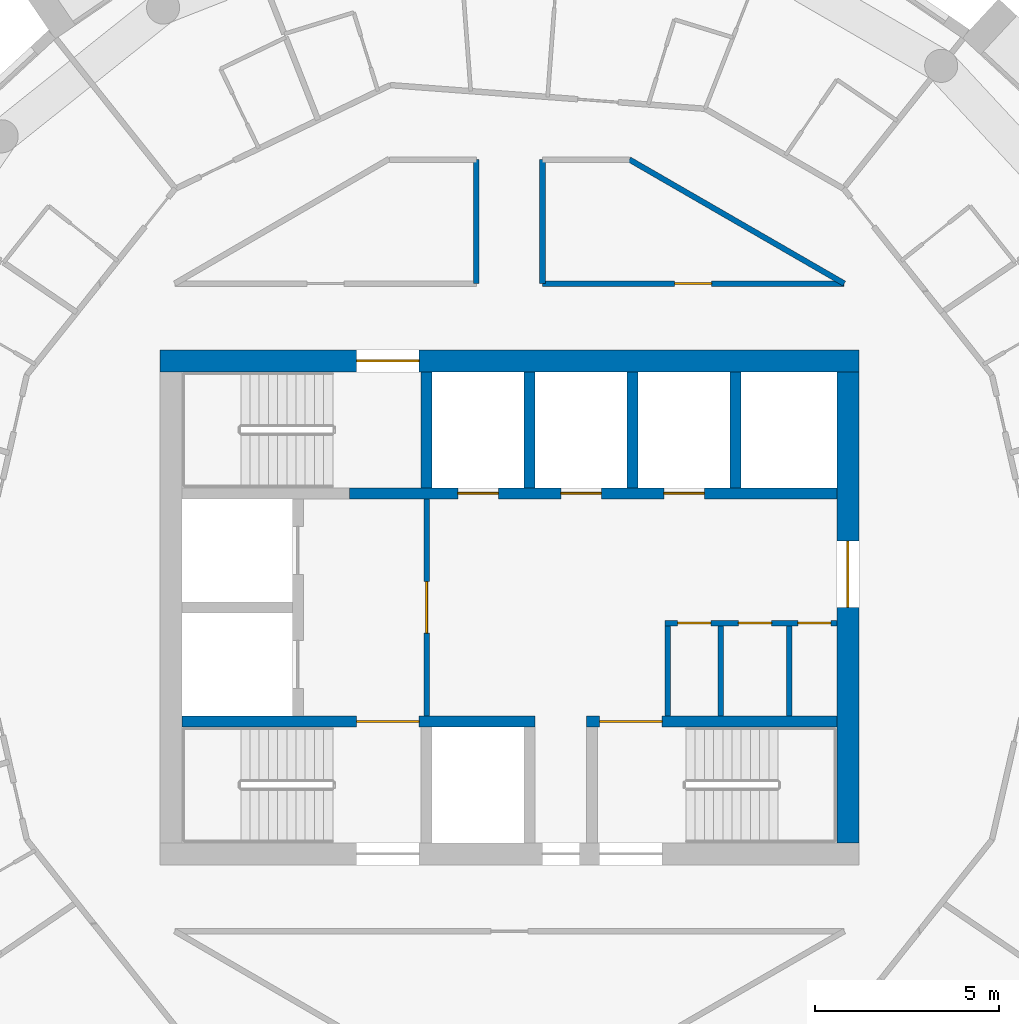
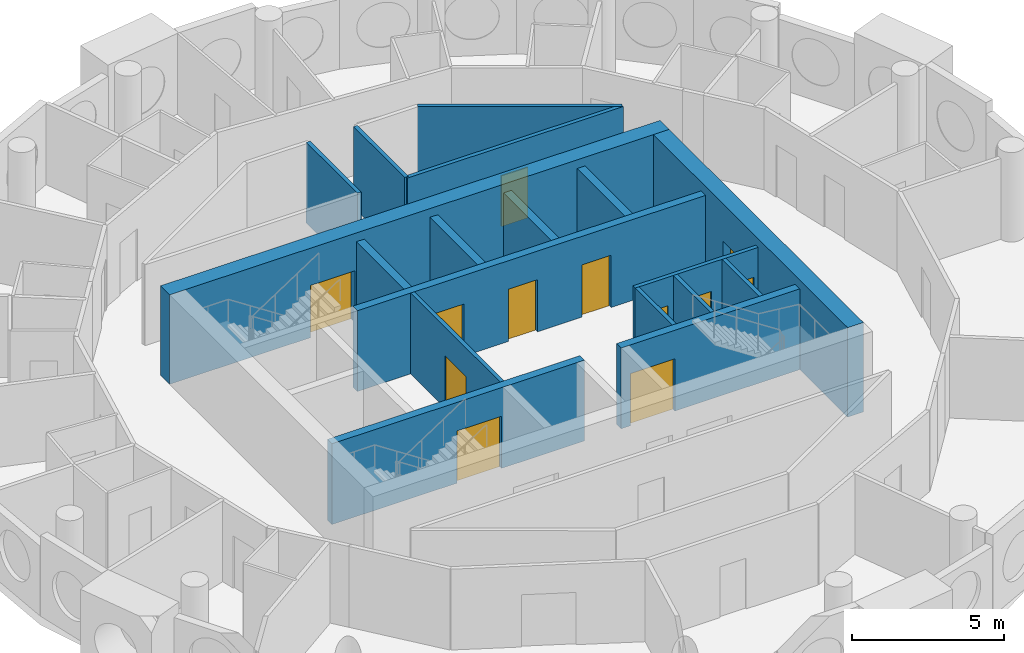
# One storey, part 7 of 12: 18 walls, 12 doors, 12 openings.
"""IFC4 building model written with IfcOpenShell, lengths in metres."""

from ifc_helpers import new_model, si_unit, direction, frame, frame_2d, origin, place, context, subcontext, project, spatial, rectangle, extrude, material, layer, layer_set, type_object, element, fill, save


model = new_model("IFC4")

# Units and contexts
model_context = context("Model", 3, precision=1e-05, world=origin(), true_north=direction((0.0, 1.0)))
body_context = subcontext(model_context, "Body", "Model", "MODEL_VIEW")
ifc_project = project(units=[si_unit("LENGTHUNIT", "METRE"), si_unit("AREAUNIT", "SQUARE_METRE"), si_unit("VOLUMEUNIT", "CUBIC_METRE"), si_unit("PLANEANGLEUNIT", "RADIAN"), si_unit("MASSUNIT", "GRAM", prefix="KILO")], contexts=[model_context])

# Site, building, storey
site_placement = place(None, origin())
site = spatial("IfcSite", under=ifc_project, at=site_placement, CompositionType="ELEMENT")
building_placement = place(site_placement, origin())
building = spatial("IfcBuilding", under=site, at=building_placement, Name="Tracery Tower", CompositionType="ELEMENT")
storey_placement = place(building_placement, frame((0.0, 0.0, 305.39990234375)))
storey = spatial("IfcBuildingStorey", under=building, at=storey_placement, Name="L79", CompositionType="ELEMENT", Elevation=305.39990234375)

# Wall, opening, door
ifc_material_1 = material(Name="Plasterboard on steel studs", Category="steel")
ifc_layer_1 = layer(ifc_material_1, 0.14990234375)
ifc_layer_set_1 = layer_set([ifc_layer_1], Name="Core lobby partition 150")
wall_type_1 = type_object("IfcWallType", Name="Core lobby partition 150", PredefinedType="SOLIDWALL", material=ifc_layer_set_1)
wall_1_placement = place(storey_placement, frame((-2.25, -2.949951171875, 0.0), z_axis=(0.0, 0.0, 1.0), x_axis=(0.0, 1.0, 0.0)))
wall_1 = element("IfcWall", 1, at=wall_1_placement, inside=storey, type_object=wall_type_1, Name="L79 FF lobby E", PredefinedType="SOLIDWALL", context=body_context, shape_type="SweptSolid", body=[
    extrude(rectangle(XDim=5.89990234375, YDim=0.14990234375, at=frame_2d((2.949951171875, 0.0))), origin(), (0.0, 0.0, 1.0), 3.25),
])
opening_1_placement = place(wall_1_placement, frame((2.25, 0.0, 0.0)))
opening_1 = element("IfcOpeningElement", 2, at=opening_1_placement, cuts=wall_1, Name="Opening KD8", PredefinedType="OPENING", context=body_context, shape_type="SweptSolid", body=[
    extrude(rectangle(XDim=1.39990234375, YDim=2.10009765625, at=frame_2d((0.699951171875, 1.050048828125))), frame((0.0, 0.074951171875, 0.0), z_axis=(0.0, -1.0, 0.0), x_axis=(1.0, 0.0, 0.0)), (0.0, 0.0, 1.0), 0.14990234375),
])
ifc_material_2 = material(Name="Steel fire door", Category="steel")
door_type_1 = type_object("IfcDoorType", Name="Core lobby door 1400 double", OperationType="NOTDEFINED", PredefinedType="DOOR", material=ifc_material_2)
door_1_placement = place(opening_1_placement, origin())
door_1 = element("IfcDoor", 3, at=door_1_placement, inside=storey, type_object=door_type_1, Name="Fire-fighting lobby door", OperationType="DOUBLE_DOOR_SINGLE_SWING", OverallHeight=2.10009765625, OverallWidth=1.39990234375, PredefinedType="DOOR", context=body_context, shape_type="SweptSolid", body=[
    extrude(rectangle(XDim=1.39990234375, YDim=2.10009765625, at=frame_2d((0.699951171875, 1.050048828125))), frame((0.0, 0.02490234375, 0.0), z_axis=(0.0, -1.0, 0.0), x_axis=(1.0, 0.0, 0.0)), (0.0, 0.0, 1.0), 0.050048828125),
])
fill(opening_1, door_1)

# Wall
ifc_material_3 = material(Name="Plasterboard on steel studs", Category="steel")
ifc_layer_2 = layer(ifc_material_3, 0.14990234375)
ifc_layer_set_2 = layer_set([ifc_layer_2], Name="Core room partition 150")
wall_type_2 = type_object("IfcWallType", Name="Core room partition 150", PredefinedType="SOLIDWALL", material=ifc_layer_set_2)
wall_2_placement = place(storey_placement, frame((4.300048828125, -2.949951171875, 0.0), z_axis=(0.0, 0.0, 1.0), x_axis=(0.0, 1.0, 0.0)))
element("IfcWall", 4, at=wall_2_placement, inside=storey, type_object=wall_type_2, Name="L79 slot W", PredefinedType="SOLIDWALL", context=body_context, shape_type="SweptSolid", body=[
    extrude(rectangle(XDim=2.449951171875, YDim=0.14990234375, at=frame_2d((1.22509765625, 0.0))), origin(), (0.0, 0.0, 1.0), 3.25),
])

# Wall, openings, doors
wall_3_placement = place(storey_placement, frame((4.22509765625, -0.425048828125, 0.0), z_axis=(0.0, 0.0, 1.0), x_axis=(1.0, 0.0, 0.0)))
wall_3 = element("IfcWall", 5, at=wall_3_placement, inside=storey, type_object=wall_type_2, Name="L79 slot N", PredefinedType="SOLIDWALL", context=body_context, shape_type="SweptSolid", body=[
    extrude(rectangle(XDim=4.6748046875, YDim=0.14990234375, at=frame_2d((2.33740234375, 0.0))), origin(), (0.0, 0.0, 1.0), 3.25),
])
opening_2_placement = place(wall_3_placement, frame((0.35009765625, 0.0, 0.0)))
opening_2 = element("IfcOpeningElement", 6, at=opening_2_placement, cuts=wall_3, Name="Opening KD27", PredefinedType="OPENING", context=body_context, shape_type="SweptSolid", body=[
    extrude(rectangle(XDim=0.89990234375, YDim=2.10009765625, at=frame_2d((0.449951171875, 1.050048828125))), frame((0.0, 0.074951171875, 0.0), z_axis=(0.0, -1.0, 0.0), x_axis=(1.0, 0.0, 0.0)), (0.0, 0.0, 1.0), 0.14990234375),
])
opening_3_placement = place(wall_3_placement, frame((2.0, 0.0, 0.0)))
opening_3 = element("IfcOpeningElement", 7, at=opening_3_placement, cuts=wall_3, Name="Opening KD21", PredefinedType="OPENING", context=body_context, shape_type="SweptSolid", body=[
    extrude(rectangle(XDim=0.89990234375, YDim=2.10009765625, at=frame_2d((0.449951171875, 1.050048828125))), frame((0.0, 0.074951171875, 0.0), z_axis=(0.0, -1.0, 0.0), x_axis=(1.0, 0.0, 0.0)), (0.0, 0.0, 1.0), 0.14990234375),
])
opening_4_placement = place(wall_3_placement, frame((3.612548828125, 0.0, 0.0)))
opening_4 = element("IfcOpeningElement", 8, at=opening_4_placement, cuts=wall_3, Name="Opening KD32", PredefinedType="OPENING", context=body_context, shape_type="SweptSolid", body=[
    extrude(rectangle(XDim=0.89990234375, YDim=2.10009765625, at=frame_2d((0.449951171875, 1.050048828125))), frame((0.0, 0.074951171875, 0.0), z_axis=(0.0, -1.0, 0.0), x_axis=(1.0, 0.0, 0.0)), (0.0, 0.0, 1.0), 0.14990234375),
])
ifc_material_4 = material(Name="Timber door leaf", Category="wood")
door_type_2 = type_object("IfcDoorType", Name="Core WC door 900", OperationType="NOTDEFINED", PredefinedType="DOOR", material=ifc_material_4)
door_2_placement = place(opening_3_placement, origin())
door_2 = element("IfcDoor", 9, at=door_2_placement, inside=storey, type_object=door_type_2, Name="Core door", OperationType="SINGLE_SWING_LEFT", OverallHeight=2.10009765625, OverallWidth=0.89990234375, PredefinedType="DOOR", context=body_context, shape_type="SweptSolid", body=[
    extrude(rectangle(XDim=0.89990234375, YDim=2.10009765625, at=frame_2d((0.449951171875, 1.050048828125))), frame((0.0, 0.02490234375, 0.0), z_axis=(0.0, -1.0, 0.0), x_axis=(1.0, 0.0, 0.0)), (0.0, 0.0, 1.0), 0.050048828125),
])
fill(opening_3, door_2)
ifc_material_5 = material(Name="Steel fire door", Category="steel")
door_type_3 = type_object("IfcDoorType", Name="Core riser door 900", OperationType="NOTDEFINED", PredefinedType="DOOR", material=ifc_material_5)
door_3_placement = place(opening_4_placement, origin())
door_3 = element("IfcDoor", 10, at=door_3_placement, inside=storey, type_object=door_type_3, Name="Core door", OperationType="SINGLE_SWING_RIGHT", OverallHeight=2.10009765625, OverallWidth=0.89990234375, PredefinedType="DOOR", context=body_context, shape_type="SweptSolid", body=[
    extrude(rectangle(XDim=0.89990234375, YDim=2.10009765625, at=frame_2d((0.449951171875, 1.050048828125))), frame((0.0, 0.02490234375, 0.0), z_axis=(0.0, -1.0, 0.0), x_axis=(1.0, 0.0, 0.0)), (0.0, 0.0, 1.0), 0.050048828125),
])
fill(opening_4, door_3)
ifc_material_6 = material(Name="Timber door leaf", Category="wood")
door_type_4 = type_object("IfcDoorType", Name="Core store door 900", OperationType="NOTDEFINED", PredefinedType="DOOR", material=ifc_material_6)
door_4_placement = place(opening_2_placement, origin())
door_4 = element("IfcDoor", 11, at=door_4_placement, inside=storey, type_object=door_type_4, Name="Core door", OperationType="SINGLE_SWING_RIGHT", OverallHeight=2.10009765625, OverallWidth=0.89990234375, PredefinedType="DOOR", context=body_context, shape_type="SweptSolid", body=[
    extrude(rectangle(XDim=0.89990234375, YDim=2.10009765625, at=frame_2d((0.449951171875, 1.050048828125))), frame((0.0, 0.02490234375, 0.0), z_axis=(0.0, -1.0, 0.0), x_axis=(1.0, 0.0, 0.0)), (0.0, 0.0, 1.0), 0.050048828125),
])
fill(opening_2, door_4)

# Walls
for number, where, z_axis, x_axis, name in (
    (12, (5.75, -2.949951171875, 0.0), (0.0, 0.0, 1.0), (0.0, 1.0, 0.0), "L79 slot sep 1"),
    (13, (7.60009765625, -2.949951171875, 0.0), (0.0, 0.0, 1.0), (0.0, 1.0, 0.0), "L79 slot sep 2"),
):
    element("IfcWall", number, at=place(storey_placement, frame(where, z_axis=z_axis, x_axis=x_axis)), inside=storey, type_object=wall_type_2, Name=name, PredefinedType="SOLIDWALL", context=body_context, shape_type="SweptSolid", body=[
        extrude(rectangle(XDim=2.449951171875, YDim=0.14990234375, at=frame_2d((1.22509765625, 0.0))), origin(), (0.0, 0.0, 1.0), 3.25),
    ])

# Wall, opening, door
ifc_material_7 = material(Name="Concrete C40/50", Category="concrete")
ifc_layer_3 = layer(ifc_material_7, 0.60009765625)
ifc_layer_set_3 = layer_set([ifc_layer_3], Name="Core wall 600 C40")
wall_type_3 = type_object("IfcWallType", Name="Core wall 600 C40", PredefinedType="SOLIDWALL", material=ifc_layer_set_3)
wall_4_placement = place(storey_placement, frame((-9.5, 6.699951171875, 0.0), z_axis=(0.0, 0.0, 1.0), x_axis=(1.0, 0.0, 0.0)))
wall_4 = element("IfcWall", 14, at=wall_4_placement, inside=storey, type_object=wall_type_3, Name="L79 outer N", PredefinedType="SOLIDWALL", context=body_context, shape_type="SweptSolid", body=[
    extrude(rectangle(XDim=19.0, YDim=0.60009765625, at=frame_2d((9.5, 0.0))), origin(), (0.0, 0.0, 1.0), 3.60009765625),
])
opening_5_placement = place(wall_4_placement, frame((5.35009765625, 0.0, 0.0)))
opening_5 = element("IfcOpeningElement", 15, at=opening_5_placement, cuts=wall_4, Name="Opening KD3", PredefinedType="OPENING", context=body_context, shape_type="SweptSolid", body=[
    extrude(rectangle(XDim=1.699951171875, YDim=2.10009765625, at=frame_2d((0.85009765625, 1.050048828125))), frame((0.0, 0.300048828125, 0.0), z_axis=(0.0, -1.0, 0.0), x_axis=(1.0, 0.0, 0.0)), (0.0, 0.0, 1.0), 0.60009765625),
])
ifc_material_8 = material(Name="Steel fire door", Category="steel")
door_type_5 = type_object("IfcDoorType", Name="Core stair door 1700 double", OperationType="NOTDEFINED", PredefinedType="DOOR", material=ifc_material_8)
door_5_placement = place(opening_5_placement, origin())
door_5 = element("IfcDoor", 16, at=door_5_placement, inside=storey, type_object=door_type_5, Name="Stair door ST3 exit", OperationType="DOUBLE_DOOR_SINGLE_SWING", OverallHeight=2.10009765625, OverallWidth=1.699951171875, PredefinedType="DOOR", context=body_context, shape_type="SweptSolid", body=[
    extrude(rectangle(XDim=1.699951171875, YDim=2.10009765625, at=frame_2d((0.85009765625, 1.050048828125))), frame((0.0, 0.02490234375, 0.0), z_axis=(0.0, -1.0, 0.0), x_axis=(1.0, 0.0, 0.0)), (0.0, 0.0, 1.0), 0.050048828125),
])
fill(opening_5, door_5)

wall_5_placement = place(storey_placement, frame((9.199951171875, -6.39990234375, 0.0), z_axis=(0.0, 0.0, 1.0), x_axis=(0.0, 1.0, 0.0)))
wall_5 = element("IfcWall", 17, at=wall_5_placement, inside=storey, type_object=wall_type_3, Name="L79 outer E", PredefinedType="SOLIDWALL", context=body_context, shape_type="SweptSolid", body=[
    extrude(rectangle(XDim=12.7998046875, YDim=0.60009765625, at=frame_2d((6.39990234375, 0.0))), origin(), (0.0, 0.0, 1.0), 3.60009765625),
])
opening_6_placement = place(wall_5_placement, frame((6.39990234375, 0.0, 0.0)))
opening_6 = element("IfcOpeningElement", 18, at=opening_6_placement, cuts=wall_5, Name="Opening KD13", PredefinedType="OPENING", context=body_context, shape_type="SweptSolid", body=[
    extrude(rectangle(XDim=1.800048828125, YDim=2.10009765625, at=frame_2d((0.89990234375, 1.050048828125))), frame((0.0, 0.300048828125, 0.0), z_axis=(0.0, -1.0, 0.0), x_axis=(1.0, 0.0, 0.0)), (0.0, 0.0, 1.0), 0.60009765625),
])
ifc_material_9 = material(Name="Steel fire door", Category="steel")
door_type_6 = type_object("IfcDoorType", Name="Core exit door 1800 double", OperationType="NOTDEFINED", PredefinedType="DOOR", material=ifc_material_9)
door_6_placement = place(opening_6_placement, origin())
door_6 = element("IfcDoor", 19, at=door_6_placement, inside=storey, type_object=door_type_6, Name="Core exit door", OperationType="DOUBLE_DOOR_SINGLE_SWING", OverallHeight=2.10009765625, OverallWidth=1.800048828125, PredefinedType="DOOR", context=body_context, shape_type="SweptSolid", body=[
    extrude(rectangle(XDim=1.800048828125, YDim=2.10009765625, at=frame_2d((0.89990234375, 1.050048828125))), frame((0.0, 0.02490234375, 0.0), z_axis=(0.0, -1.0, 0.0), x_axis=(1.0, 0.0, 0.0)), (0.0, 0.0, 1.0), 0.050048828125),
])
fill(opening_6, door_6)

ifc_material_10 = material(Name="Plasterboard on steel studs", Category="steel")
ifc_layer_4 = layer(ifc_material_10, 0.14990234375)
ifc_layer_set_4 = layer_set([ifc_layer_4], Name="Partition 150 corridor wall")
wall_type_4 = type_object("IfcWallType", Name="Partition 150 corridor wall", PredefinedType="PARTITIONING", material=ifc_layer_set_4)
wall_6_placement = place(storey_placement, frame((0.89599609375, 8.800048828125, 0.0), z_axis=(0.0, 0.0, 1.0), x_axis=(1.0, 0.0, 0.0)))
wall_6 = element("IfcWall", 20, at=wall_6_placement, inside=storey, type_object=wall_type_4, Name="Corridor wall RC8-003", PredefinedType="PARTITIONING", context=body_context, shape_type="SweptSolid", body=[
    extrude(rectangle(XDim=8.20458984375, YDim=0.14990234375, at=frame_2d((4.102294921875, 0.0))), origin(), (0.0, 0.0, 1.0), 3.25),
])
opening_7_placement = place(wall_6_placement, frame((3.597900390625, 0.0, 0.0)))
opening_7 = element("IfcOpeningElement", 21, at=opening_7_placement, cuts=wall_6, Name="Opening RC8-02", PredefinedType="OPENING", context=body_context, shape_type="SweptSolid", body=[
    extrude(rectangle(XDim=1.0, YDim=2.0400390625, at=frame_2d((0.5, 1.02001953125))), frame((0.0, 0.074951171875, 0.0), z_axis=(0.0, -1.0, 0.0), x_axis=(1.0, 0.0, 0.0)), (0.0, 0.0, 1.0), 0.14990234375),
])
ifc_material_11 = material(Name="Timber door leaf", Category="wood")
door_type_7 = type_object("IfcDoorType", Name="Door communal room 1000", OperationType="NOTDEFINED", PredefinedType="DOOR", material=ifc_material_11)
door_7_placement = place(opening_7_placement, origin())
door_7 = element("IfcDoor", 22, at=door_7_placement, inside=storey, type_object=door_type_7, Name="Communal room door RC8-02", OperationType="SINGLE_SWING_RIGHT", OverallHeight=2.0400390625, OverallWidth=1.0, PredefinedType="DOOR", context=body_context, shape_type="SweptSolid", body=[
    extrude(rectangle(XDim=1.0, YDim=2.0400390625, at=frame_2d((0.5, 1.02001953125))), frame((0.0, 0.02490234375, 0.0), z_axis=(0.0, -1.0, 0.0), x_axis=(1.0, 0.0, 0.0)), (0.0, 0.0, 1.0), 0.050048828125),
])
fill(opening_7, door_7)

# Walls
wall_7_placement = place(storey_placement, frame((-0.89990234375, 8.800048828125, 0.0), z_axis=(0.0, 0.0, 1.0), x_axis=(0.0, 1.0, 0.0)))
element("IfcWall", 23, at=wall_7_placement, inside=storey, type_object=wall_type_4, Name="Corridor wall RC8-025", PredefinedType="PARTITIONING", context=body_context, shape_type="SweptSolid", body=[
    extrude(rectangle(XDim=3.370849609375, YDim=0.14990234375, at=frame_2d((1.685546875, 0.0))), origin(), (0.0, 0.0, 1.0), 3.25),
])
wall_8_placement = place(storey_placement, frame((3.260986328125, 12.1708984375, 0.0), z_axis=(0.0, 0.0, 1.0), x_axis=(0.866066809554, -0.499928276245, 0.0)))
element("IfcWall", 24, at=wall_8_placement, inside=storey, type_object=wall_type_4, Name="Corridor wall RC8-027", PredefinedType="PARTITIONING", context=body_context, shape_type="SweptSolid", body=[
    extrude(rectangle(XDim=6.74267578125, YDim=0.14990234375, at=frame_2d((3.371337890625, 0.0))), origin(), (0.0, 0.0, 1.0), 3.25),
])
wall_9_placement = place(storey_placement, frame((0.89990234375, 8.800048828125, 0.0), z_axis=(0.0, 0.0, 1.0), x_axis=(0.0, 1.0, 0.0)))
element("IfcWall", 25, at=wall_9_placement, inside=storey, type_object=wall_type_4, Name="Corridor wall RC8-029", PredefinedType="PARTITIONING", context=body_context, shape_type="SweptSolid", body=[
    extrude(rectangle(XDim=3.370849609375, YDim=0.14990234375, at=frame_2d((1.685546875, 0.0))), origin(), (0.0, 0.0, 1.0), 3.25),
])
ifc_material_12 = material(Name="Concrete C40/50", Category="concrete")
ifc_layer_5 = layer(ifc_material_12, 0.300048828125)
ifc_layer_set_5 = layer_set([ifc_layer_5], Name="Shaft wall 300 C40")
wall_type_5 = type_object("IfcWallType", Name="Shaft wall 300 C40", PredefinedType="SOLIDWALL", material=ifc_layer_set_5)
for number, where, z_axis, x_axis, name in (
    (26, (0.550048828125, 3.25, 0.0), (0.0, 0.0, 1.0), (0.0, 1.0, 0.0), "L79 HR sep 1"),
    (27, (3.35009765625, 3.25, 0.0), (0.0, 0.0, 1.0), (0.0, 1.0, 0.0), "L79 HR sep 2"),
    (28, (6.14990234375, 3.25, 0.0), (0.0, 0.0, 1.0), (0.0, 1.0, 0.0), "L79 HR sep 3"),
):
    element("IfcWall", number, at=place(storey_placement, frame(where, z_axis=z_axis, x_axis=x_axis)), inside=storey, type_object=wall_type_5, Name=name, PredefinedType="SOLIDWALL", context=body_context, shape_type="SweptSolid", body=[
        extrude(rectangle(XDim=3.14990234375, YDim=0.300048828125, at=frame_2d((1.574951171875, 0.0))), origin(), (0.0, 0.0, 1.0), 3.25),
    ])

# Wall, opening, door
ifc_material_13 = material(Name="Concrete C40/50", Category="concrete")
ifc_layer_6 = layer(ifc_material_13, 0.300048828125)
ifc_layer_set_6 = layer_set([ifc_layer_6], Name="Stair wall 300 C40")
wall_type_6 = type_object("IfcWallType", Name="Stair wall 300 C40", PredefinedType="SOLIDWALL", material=ifc_layer_set_6)
wall_10_placement = place(storey_placement, frame((-8.89990234375, -3.10009765625, 0.0), z_axis=(0.0, 0.0, 1.0), x_axis=(1.0, 0.0, 0.0)))
wall_10 = element("IfcWall", 29, at=wall_10_placement, inside=storey, type_object=wall_type_6, Name="L79 row S", PredefinedType="SOLIDWALL", context=body_context, shape_type="SweptSolid", body=[
    extrude(rectangle(XDim=9.599853515625, YDim=0.300048828125, at=frame_2d((4.7998046875, 0.0))), origin(), (0.0, 0.0, 1.0), 3.25),
])
opening_8_placement = place(wall_10_placement, frame((4.75, 0.0, 0.0)))
opening_8 = element("IfcOpeningElement", 30, at=opening_8_placement, cuts=wall_10, Name="Opening KD3", PredefinedType="OPENING", context=body_context, shape_type="SweptSolid", body=[
    extrude(rectangle(XDim=1.699951171875, YDim=2.10009765625, at=frame_2d((0.85009765625, 1.050048828125))), frame((0.0, 0.14990234375, 0.0), z_axis=(0.0, -1.0, 0.0), x_axis=(1.0, 0.0, 0.0)), (0.0, 0.0, 1.0), 0.300048828125),
])
door_8_placement = place(opening_8_placement, origin())
door_8 = element("IfcDoor", 31, at=door_8_placement, inside=storey, type_object=door_type_5, Name="Stair door ST1", OperationType="DOUBLE_DOOR_SINGLE_SWING", OverallHeight=2.10009765625, OverallWidth=1.699951171875, PredefinedType="DOOR", context=body_context, shape_type="SweptSolid", body=[
    extrude(rectangle(XDim=1.699951171875, YDim=2.10009765625, at=frame_2d((0.85009765625, 1.050048828125))), frame((0.0, 0.02490234375, 0.0), z_axis=(0.0, -1.0, 0.0), x_axis=(1.0, 0.0, 0.0)), (0.0, 0.0, 1.0), 0.050048828125),
])
fill(opening_8, door_8)

wall_11_placement = place(storey_placement, frame((2.10009765625, -3.10009765625, 0.0), z_axis=(0.0, 0.0, 1.0), x_axis=(1.0, 0.0, 0.0)))
wall_11 = element("IfcWall", 32, at=wall_11_placement, inside=storey, type_object=wall_type_6, Name="L79 row S E", PredefinedType="SOLIDWALL", context=body_context, shape_type="SweptSolid", body=[
    extrude(rectangle(XDim=6.7998046875, YDim=0.300048828125, at=frame_2d((3.39990234375, 0.0))), origin(), (0.0, 0.0, 1.0), 3.25),
])
opening_9_placement = place(wall_11_placement, frame((0.35009765625, 0.0, 0.0)))
opening_9 = element("IfcOpeningElement", 33, at=opening_9_placement, cuts=wall_11, Name="Opening KD3", PredefinedType="OPENING", context=body_context, shape_type="SweptSolid", body=[
    extrude(rectangle(XDim=1.699951171875, YDim=2.10009765625, at=frame_2d((0.85009765625, 1.050048828125))), frame((0.0, 0.14990234375, 0.0), z_axis=(0.0, -1.0, 0.0), x_axis=(1.0, 0.0, 0.0)), (0.0, 0.0, 1.0), 0.300048828125),
])
door_9_placement = place(opening_9_placement, origin())
door_9 = element("IfcDoor", 34, at=door_9_placement, inside=storey, type_object=door_type_5, Name="Stair door ST2", OperationType="DOUBLE_DOOR_SINGLE_SWING", OverallHeight=2.10009765625, OverallWidth=1.699951171875, PredefinedType="DOOR", context=body_context, shape_type="SweptSolid", body=[
    extrude(rectangle(XDim=1.699951171875, YDim=2.10009765625, at=frame_2d((0.85009765625, 1.050048828125))), frame((0.0, 0.02490234375, 0.0), z_axis=(0.0, -1.0, 0.0), x_axis=(1.0, 0.0, 0.0)), (0.0, 0.0, 1.0), 0.050048828125),
])
fill(opening_9, door_9)

# Wall, openings, doors
wall_12_placement = place(storey_placement, frame((-4.35009765625, 3.10009765625, 0.0), z_axis=(0.0, 0.0, 1.0), x_axis=(1.0, 0.0, 0.0)))
wall_12 = element("IfcWall", 35, at=wall_12_placement, inside=storey, type_object=wall_type_6, Name="L79 row N", PredefinedType="SOLIDWALL", context=body_context, shape_type="SweptSolid", body=[
    extrude(rectangle(XDim=13.25, YDim=0.300048828125, at=frame_2d((6.625, 0.0))), origin(), (0.0, 0.0, 1.0), 3.25),
])
opening_10_placement = place(wall_12_placement, frame((2.949951171875, 0.0, 0.0)))
opening_10 = element("IfcOpeningElement", 36, at=opening_10_placement, cuts=wall_12, Name="Opening KD49", PredefinedType="OPENING", context=body_context, shape_type="SweptSolid", body=[
    extrude(rectangle(XDim=1.10009765625, YDim=2.10009765625, at=frame_2d((0.550048828125, 1.050048828125))), frame((0.0, 0.14990234375, 0.0), z_axis=(0.0, -1.0, 0.0), x_axis=(1.0, 0.0, 0.0)), (0.0, 0.0, 1.0), 0.300048828125),
])
opening_11_placement = place(wall_12_placement, frame((5.75, 0.0, 0.0)))
opening_11 = element("IfcOpeningElement", 37, at=opening_11_placement, cuts=wall_12, Name="Opening KD50", PredefinedType="OPENING", context=body_context, shape_type="SweptSolid", body=[
    extrude(rectangle(XDim=1.10009765625, YDim=2.10009765625, at=frame_2d((0.550048828125, 1.050048828125))), frame((0.0, 0.14990234375, 0.0), z_axis=(0.0, -1.0, 0.0), x_axis=(1.0, 0.0, 0.0)), (0.0, 0.0, 1.0), 0.300048828125),
])
opening_12_placement = place(wall_12_placement, frame((8.550048828125, 0.0, 0.0)))
opening_12 = element("IfcOpeningElement", 38, at=opening_12_placement, cuts=wall_12, Name="Opening KD49", PredefinedType="OPENING", context=body_context, shape_type="SweptSolid", body=[
    extrude(rectangle(XDim=1.10009765625, YDim=2.10009765625, at=frame_2d((0.550048828125, 1.050048828125))), frame((0.0, 0.14990234375, 0.0), z_axis=(0.0, -1.0, 0.0), x_axis=(1.0, 0.0, 0.0)), (0.0, 0.0, 1.0), 0.300048828125),
])
ifc_material_14 = material(Name="Steel fire door", Category="steel")
door_type_8 = type_object("IfcDoorType", Name="Landing door 1100", OperationType="NOTDEFINED", PredefinedType="DOOR", material=ifc_material_14)
door_10_placement = place(opening_10_placement, origin())
door_10 = element("IfcDoor", 39, at=door_10_placement, inside=storey, type_object=door_type_8, Name="Landing door HR1", OperationType="SLIDING_TO_LEFT", OverallHeight=2.10009765625, OverallWidth=1.10009765625, PredefinedType="DOOR", context=body_context, shape_type="SweptSolid", body=[
    extrude(rectangle(XDim=1.10009765625, YDim=2.10009765625, at=frame_2d((0.550048828125, 1.050048828125))), frame((0.0, 0.02490234375, 0.0), z_axis=(0.0, -1.0, 0.0), x_axis=(1.0, 0.0, 0.0)), (0.0, 0.0, 1.0), 0.050048828125),
])
fill(opening_10, door_10)
door_11_placement = place(opening_11_placement, origin())
door_11 = element("IfcDoor", 40, at=door_11_placement, inside=storey, type_object=door_type_8, Name="Landing door HR2", OperationType="SLIDING_TO_RIGHT", OverallHeight=2.10009765625, OverallWidth=1.10009765625, PredefinedType="DOOR", context=body_context, shape_type="SweptSolid", body=[
    extrude(rectangle(XDim=1.10009765625, YDim=2.10009765625, at=frame_2d((0.550048828125, 1.050048828125))), frame((0.0, 0.02490234375, 0.0), z_axis=(0.0, -1.0, 0.0), x_axis=(1.0, 0.0, 0.0)), (0.0, 0.0, 1.0), 0.050048828125),
])
fill(opening_11, door_11)
door_12_placement = place(opening_12_placement, origin())
door_12 = element("IfcDoor", 41, at=door_12_placement, inside=storey, type_object=door_type_8, Name="Landing door HR3", OperationType="SLIDING_TO_LEFT", OverallHeight=2.10009765625, OverallWidth=1.10009765625, PredefinedType="DOOR", context=body_context, shape_type="SweptSolid", body=[
    extrude(rectangle(XDim=1.10009765625, YDim=2.10009765625, at=frame_2d((0.550048828125, 1.050048828125))), frame((0.0, 0.02490234375, 0.0), z_axis=(0.0, -1.0, 0.0), x_axis=(1.0, 0.0, 0.0)), (0.0, 0.0, 1.0), 0.050048828125),
])
fill(opening_12, door_12)

# Wall
wall_13_placement = place(storey_placement, frame((-2.25, 3.25, 0.0), z_axis=(0.0, 0.0, 1.0), x_axis=(0.0, 1.0, 0.0)))
element("IfcWall", 42, at=wall_13_placement, inside=storey, type_object=wall_type_6, Name="L79 ST3 E", PredefinedType="SOLIDWALL", context=body_context, shape_type="SweptSolid", body=[
    extrude(rectangle(XDim=3.14990234375, YDim=0.300048828125, at=frame_2d((1.574951171875, 0.0))), origin(), (0.0, 0.0, 1.0), 3.25),
])

save(model, "model.ifc")
